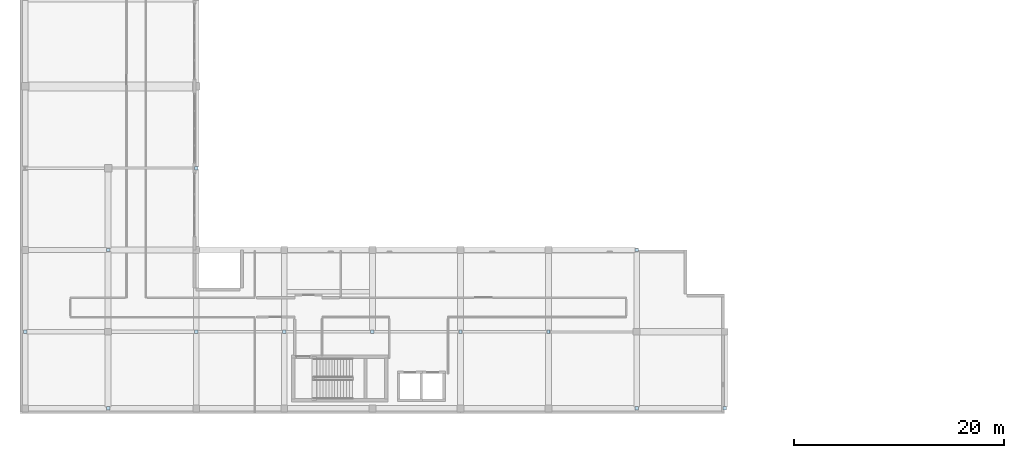
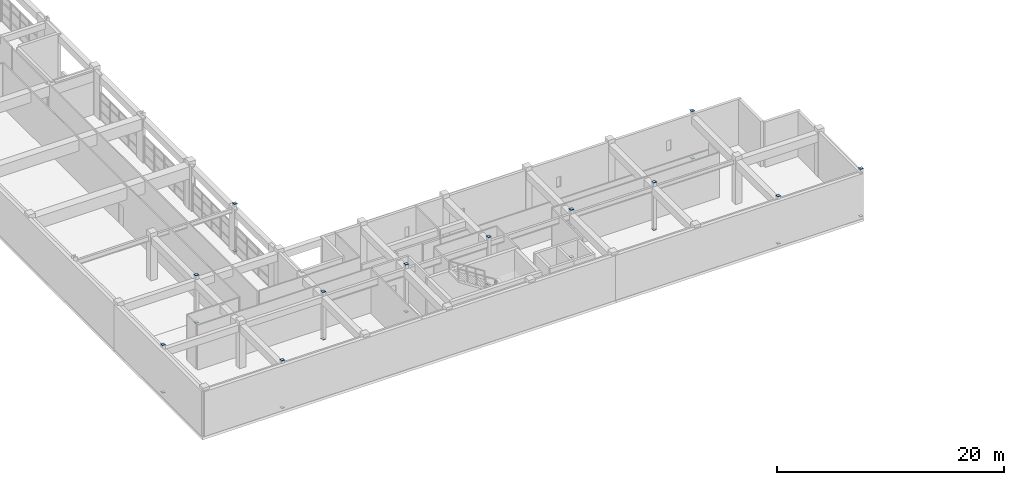
# One storey, part 80 of 103: 24 plates.
"""IFC4 building model written with IfcOpenShell, lengths in metres."""

from ifc_helpers import new_model, si_unit, direction, frame, origin, origin_2d, place, context, subcontext, project, spatial, rectangle, extrude, material, layer, layer_set, type_object, element, save


model = new_model("IFC4")

# Units and contexts
model_context = context("Model", 3, precision=1e-05, world=origin(), true_north=direction((0.0, 1.0)))
body_context = subcontext(model_context, "Body", "Model", "MODEL_VIEW")
ifc_project = project(units=[si_unit("LENGTHUNIT", "METRE"), si_unit("AREAUNIT", "SQUARE_METRE"), si_unit("VOLUMEUNIT", "CUBIC_METRE"), si_unit("PLANEANGLEUNIT", "RADIAN"), si_unit("MASSUNIT", "GRAM", prefix="KILO")], contexts=[model_context])

# Site, building, storey
site_placement = place(None, origin())
site = spatial("IfcSite", under=ifc_project, at=site_placement, CompositionType="ELEMENT")
building_placement = place(site_placement, origin())
building = spatial("IfcBuilding", under=site, at=building_placement, Name="Quendrovan Civic Courthouse", CompositionType="ELEMENT")
storey_placement = place(building_placement, frame((0.0, 0.0, 15.300048828125)))
storey = spatial("IfcBuildingStorey", under=building, at=storey_placement, Name="L04", CompositionType="ELEMENT", Elevation=15.300048828125)

# Plates
ifc_material = material(Name="Steel ASTM A572 Grade 50", Category="steel")
ifc_layer = layer(ifc_material, 0.011962890625, Name="Steel ASTM A572 Grade 50")
ifc_layer_set = layer_set([ifc_layer], Name="Steel ASTM A572 Grade 50")
plate_type = type_object("IfcPlateType", Name="PLT-CAP-12", PredefinedType="SHEET", material=ifc_layer_set)
for number, where, z_axis, x_axis, name in (
    (1, (0.5, 7.800048828125, 5.10009765625), (0.0, 0.0, 1.0), (1.0, 0.0, 0.0), "L04 Hollow Column End Cap Plate COL-L04-1-B-TOP"),
    (2, (0.5, 7.800048828125, -0.01220703125), (0.0, 0.0, 1.0), (1.0, 0.0, 0.0), "L04 Hollow Column End Cap Plate COL-L04-1-B-BOT"),
    (3, (8.39990234375, 0.5, 5.10009765625), (0.0, 0.0, 1.0), (1.0, 0.0, 0.0), "L04 Hollow Column End Cap Plate COL-L04-2-A-TOP"),
    (4, (8.39990234375, 0.5, -0.01220703125), (0.0, 0.0, 1.0), (1.0, 0.0, 0.0), "L04 Hollow Column End Cap Plate COL-L04-2-A-BOT"),
    (5, (8.39990234375, 15.60009765625, 5.10009765625), (0.0, 0.0, 1.0), (1.0, 0.0, 0.0), "L04 Hollow Column End Cap Plate COL-L04-2-C-TOP"),
    (6, (8.39990234375, 15.60009765625, -0.01220703125), (0.0, 0.0, 1.0), (1.0, 0.0, 0.0), "L04 Hollow Column End Cap Plate COL-L04-2-C-BOT"),
    (7, (16.800048828125, 7.800048828125, 5.10009765625), (0.0, 0.0, 1.0), (1.0, 0.0, 0.0), "L04 Hollow Column End Cap Plate COL-L04-3-B-TOP"),
    (8, (16.800048828125, 7.800048828125, -0.01220703125), (0.0, 0.0, 1.0), (1.0, 0.0, 0.0), "L04 Hollow Column End Cap Plate COL-L04-3-B-BOT"),
    (9, (16.800048828125, 23.39990234375, 5.10009765625), (0.0, 0.0, 1.0), (1.0, 0.0, 0.0), "L04 Hollow Column End Cap Plate COL-L04-3-D-TOP"),
    (10, (16.800048828125, 23.39990234375, -0.01220703125), (0.0, 0.0, 1.0), (1.0, 0.0, 0.0), "L04 Hollow Column End Cap Plate COL-L04-3-D-BOT"),
    (11, (25.199951171875, 7.800048828125, 5.10009765625), (0.0, 0.0, 1.0), (1.0, 0.0, 0.0), "L04 Hollow Column End Cap Plate COL-L04-4-B-TOP"),
    (12, (25.199951171875, 7.800048828125, -0.01220703125), (0.0, 0.0, 1.0), (1.0, 0.0, 0.0), "L04 Hollow Column End Cap Plate COL-L04-4-B-BOT"),
    (13, (33.60009765625, 7.800048828125, 5.10009765625), (0.0, 0.0, 1.0), (1.0, 0.0, 0.0), "L04 Hollow Column End Cap Plate COL-L04-5-B-TOP"),
    (14, (33.60009765625, 7.800048828125, -0.01220703125), (0.0, 0.0, 1.0), (1.0, 0.0, 0.0), "L04 Hollow Column End Cap Plate COL-L04-5-B-BOT"),
    (15, (42.0, 7.800048828125, 5.10009765625), (0.0, 0.0, 1.0), (1.0, 0.0, 0.0), "L04 Hollow Column End Cap Plate COL-L04-6-B-TOP"),
    (16, (42.0, 7.800048828125, -0.01220703125), (0.0, 0.0, 1.0), (1.0, 0.0, 0.0), "L04 Hollow Column End Cap Plate COL-L04-6-B-BOT"),
    (17, (50.39990234375, 7.800048828125, 5.10009765625), (0.0, 0.0, 1.0), (1.0, 0.0, 0.0), "L04 Hollow Column End Cap Plate COL-L04-7-B-TOP"),
    (18, (50.39990234375, 7.800048828125, -0.01220703125), (0.0, 0.0, 1.0), (1.0, 0.0, 0.0), "L04 Hollow Column End Cap Plate COL-L04-7-B-BOT"),
    (19, (58.800048828125, 0.5, 5.10009765625), (0.0, 0.0, 1.0), (1.0, 0.0, 0.0), "L04 Hollow Column End Cap Plate COL-L04-8-A-TOP"),
    (20, (58.800048828125, 0.5, -0.01220703125), (0.0, 0.0, 1.0), (1.0, 0.0, 0.0), "L04 Hollow Column End Cap Plate COL-L04-8-A-BOT"),
    (21, (58.800048828125, 15.60009765625, 5.10009765625), (0.0, 0.0, 1.0), (1.0, 0.0, 0.0), "L04 Hollow Column End Cap Plate COL-L04-8-C-TOP"),
    (22, (58.800048828125, 15.60009765625, -0.01220703125), (0.0, 0.0, 1.0), (1.0, 0.0, 0.0), "L04 Hollow Column End Cap Plate COL-L04-8-C-BOT"),
    (23, (67.199951171875, 0.5, 5.10009765625), (0.0, 0.0, 1.0), (1.0, 0.0, 0.0), "L04 Hollow Column End Cap Plate COL-L04-9-A-TOP"),
    (24, (67.199951171875, 0.5, -0.01220703125), (0.0, 0.0, 1.0), (1.0, 0.0, 0.0), "L04 Hollow Column End Cap Plate COL-L04-9-A-BOT"),
):
    element("IfcPlate", number, at=place(storey_placement, frame(where, z_axis=z_axis, x_axis=x_axis)), inside=storey, type_object=plate_type, Name=name, PredefinedType="SHEET", context=body_context, shape_type="SweptSolid", body=[
        extrude(rectangle(XDim=0.320068359375, YDim=0.320068359375, at=origin_2d()), origin(), (0.0, 0.0, 1.0), 0.011962890625),
    ])

save(model, "model.ifc")
